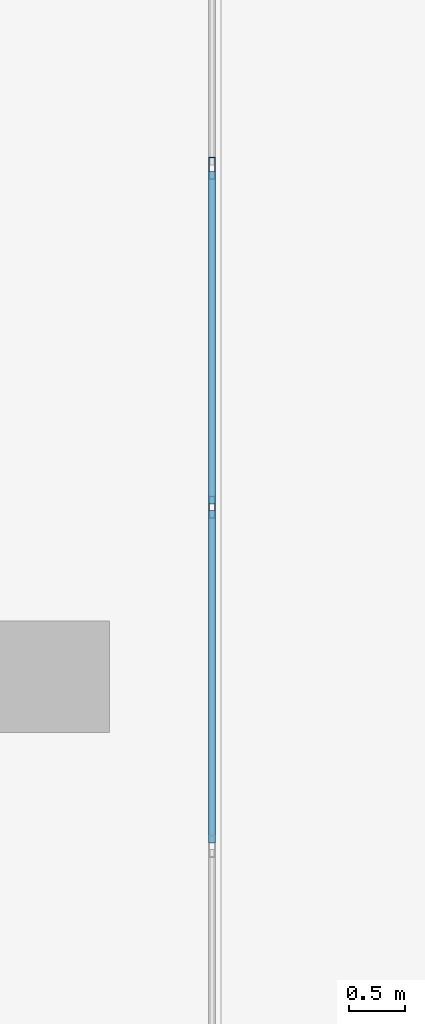
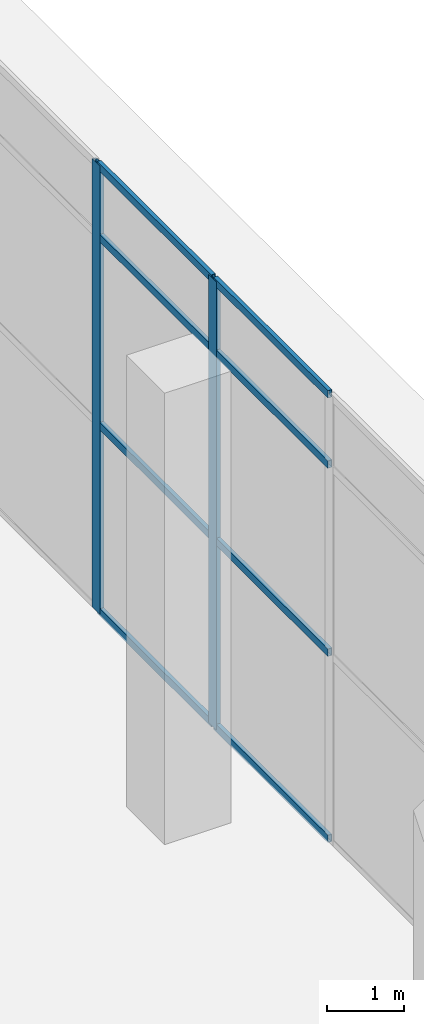
# One storey, part 25 of 52: 10 members, 1 element without a shape of its own.
"""IFC4 building model written with IfcOpenShell, lengths in metres."""

import ifcopenshell
import ifcopenshell.guid

model = None  # the IFC model being written
_history = None  # IfcOwnerHistory: only IFC2X3 demands one
_inside = {}  # id of a spatial element -> (the spatial element, [elements in it])
_under = {}  # id of a project, library or spatial element -> (it, [spatial elements below it])
_declared = {}  # id of a project -> (the project, [libraries it declares])
_typed = {}  # id of a type object -> (the type object, [elements of that type])
_made_of = {}  # id of a material, layer set ... -> (it, [elements and type objects made of it])


def new_model(schema):
    """Start an empty IFC model of exactly this schema.

    Asked for "IFC4X3", IfcOpenShell would pick the latest addendum, in which some entities
    have other attributes; the version numbers below select the first issue.
    IFC2X3 requires an IfcOwnerHistory on every rooted entity: one is made here for all.
    """
    global model, _history
    if schema == "IFC4X3":
        model = ifcopenshell.file(schema_version=(4, 3, 0, 0))
    else:
        model = ifcopenshell.file(schema=schema)
    _inside.clear()
    _under.clear()
    _declared.clear()
    _typed.clear()
    _made_of.clear()
    _history = None
    if model.schema == "IFC2X3":
        org = make("IfcOrganization", Name="unknown")
        user = make(
            "IfcPersonAndOrganization",
            ThePerson=make("IfcPerson", FamilyName="unknown"),
            TheOrganization=org,
        )
        app = make(
            "IfcApplication",
            ApplicationDeveloper=org,
            Version="unknown",
            ApplicationFullName="unknown",
            ApplicationIdentifier="unknown",
        )
        _history = make(
            "IfcOwnerHistory",
            OwningUser=user,
            OwningApplication=app,
            ChangeAction="ADDED",
            CreationDate=0,
        )
    return model


def make(cls, **values):
    """One entity of the class cls with the attributes given. An attribute that is None is left unset."""
    return model.create_entity(
        cls, **{name: value for name, value in values.items() if value is not None}
    )


def rooted(cls, **values):
    """An entity with a GlobalId (a new one), such as an element, a storey or a relation."""
    return make(cls, GlobalId=ifcopenshell.guid.new(), OwnerHistory=_history, **values)


def si_unit(unit_type, name, prefix=None):
    """IfcSIUnit, for example si_unit("LENGTHUNIT", "METRE", prefix="MILLI")."""
    return make("IfcSIUnit", UnitType=unit_type, Prefix=prefix, Name=name)


def assignment(units):
    """IfcUnitAssignment: the units of a project."""
    return None if units is None else make("IfcUnitAssignment", Units=units)


def point(xyz):
    """IfcCartesianPoint."""
    return None if xyz is None else make("IfcCartesianPoint", Coordinates=xyz)


def direction(xyz):
    """IfcDirection."""
    return None if xyz is None else make("IfcDirection", DirectionRatios=xyz)


def frame(location, z_axis=None, x_axis=None):
    """IfcAxis2Placement3D, a coordinate frame: its origin and axes. An axis left out is left unset."""
    return make(
        "IfcAxis2Placement3D",
        Location=point(location),
        Axis=direction(z_axis),
        RefDirection=direction(x_axis),
    )


def frame_2d(location, x_axis=None):
    """IfcAxis2Placement2D, a coordinate frame in the plane: its origin and x axis."""
    return make(
        "IfcAxis2Placement2D", Location=point(location), RefDirection=direction(x_axis)
    )


def origin():
    """The frame at (0, 0, 0) with its axes left unset."""
    return frame((0.0, 0.0, 0.0))


def origin_2d():
    """The frame at (0, 0) in the plane with its x axis left unset."""
    return frame_2d((0.0, 0.0))


def place(relative_to, where):
    """IfcLocalPlacement: puts the frame where relative to a parent placement (None: the world)."""
    return make(
        "IfcLocalPlacement", PlacementRelTo=relative_to, RelativePlacement=where
    )


def context(
    kind, dimensions, precision=None, world=None, true_north=None, identifier=None
):
    """IfcGeometricRepresentationContext, for example the 3D "Model" context."""
    return make(
        "IfcGeometricRepresentationContext",
        ContextIdentifier=identifier,
        ContextType=kind,
        CoordinateSpaceDimension=dimensions,
        Precision=precision,
        WorldCoordinateSystem=world,
        TrueNorth=true_north,
    )


def subcontext(parent, identifier, kind, view, scale=None):
    """IfcGeometricRepresentationSubContext, for example "Body" below "Model"."""
    return make(
        "IfcGeometricRepresentationSubContext",
        ContextIdentifier=identifier,
        ContextType=kind,
        ParentContext=parent,
        TargetScale=scale,
        TargetView=view,
    )


def project(units=None, contexts=None):
    """IfcProject with its units and contexts."""
    return rooted(
        "IfcProject",
        Name="project",
        RepresentationContexts=contexts,
        UnitsInContext=assignment(units),
    )


def spatial(cls, under=None, at=None, **own):
    """A site, building, storey or space (cls), placed at a placement, below another one or the project."""
    s = rooted(cls, ObjectPlacement=at, **own)
    if under is not None:
        _under.setdefault(under.id(), (under, []))[1].append(s)
    return s


def profile(cls, at=None, kind="AREA", **sizes):
    """A parametric profile (cls). Its sizes go by their IFC names, for example OverallWidth=200.0."""
    return make(cls, ProfileType=kind, Position=at, **sizes)


def hollow_rectangle(**sizes):
    """IfcRectangleHollowProfileDef."""
    return profile("IfcRectangleHollowProfileDef", **sizes)


def extrude(swept, where, along, depth):
    """IfcExtrudedAreaSolid: the profile swept, set in the frame where, extruded along a direction by depth."""
    return make(
        "IfcExtrudedAreaSolid",
        SweptArea=swept,
        Position=where,
        ExtrudedDirection=direction(along),
        Depth=depth,
    )


def shape(context_of_items, identifier, shape_type, items):
    """IfcShapeRepresentation: the items that make up one representation, for example the "Body"."""
    return make(
        "IfcShapeRepresentation",
        ContextOfItems=context_of_items,
        RepresentationIdentifier=identifier,
        RepresentationType=shape_type,
        Items=items,
    )


def source(mapping_origin, context_of_items, identifier, shape_type, items):
    """IfcRepresentationMap: a shape defined once, which mapped items show again and again."""
    return make(
        "IfcRepresentationMap",
        MappingOrigin=mapping_origin,
        MappedRepresentation=shape(context_of_items, identifier, shape_type, items),
    )


def transform(
    local_origin,
    x_axis=None,
    y_axis=None,
    z_axis=None,
    scale=None,
    scale2=None,
    scale3=None,
    uniform=True,
):
    """IfcCartesianTransformationOperator3D, or its non-uniform kind. x_axis, y_axis, z_axis: its Axis1, 2, 3."""
    if uniform:
        return make(
            "IfcCartesianTransformationOperator3D",
            Axis1=direction(x_axis),
            Axis2=direction(y_axis),
            LocalOrigin=point(local_origin),
            Scale=scale,
            Axis3=direction(z_axis),
        )
    return make(
        "IfcCartesianTransformationOperator3DnonUniform",
        Axis1=direction(x_axis),
        Axis2=direction(y_axis),
        LocalOrigin=point(local_origin),
        Scale=scale,
        Axis3=direction(z_axis),
        Scale2=scale2,
        Scale3=scale3,
    )


def mapped(mapping_source, mapping_target):
    """IfcMappedItem: shows the shape of a source again, moved by a transform."""
    return make(
        "IfcMappedItem", MappingSource=mapping_source, MappingTarget=mapping_target
    )


def material(Name=None, Category=None):
    """IfcMaterial."""
    return make("IfcMaterial", Name=Name, Category=Category)


def material_profile(
    of_material, cross_section, Name=None, Category=None, Priority=None
):
    """IfcMaterialProfile: a cross section and its material."""
    return make(
        "IfcMaterialProfile",
        Name=Name,
        Material=of_material,
        Profile=cross_section,
        Priority=Priority,
        Category=Category,
    )


def profile_set(profiles, Name=None, composite=None):
    """IfcMaterialProfileSet."""
    return make(
        "IfcMaterialProfileSet",
        Name=Name,
        MaterialProfiles=profiles,
        CompositeProfile=composite,
    )


def made_of(thing, what):
    """Note that an element or type object is made of a material, layer set ...; save() writes the relation."""
    if what is not None:
        _made_of.setdefault(what.id(), (what, []))[1].append(thing)
    return thing


def type_object(cls, material=None, **own):
    """A type object (cls), such as IfcWallType, which elements share."""
    return made_of(rooted(cls, **own), material)


def element(
    cls,
    number,
    at=None,
    inside=None,
    cuts=None,
    type_object=None,
    material=None,
    context=None,
    identifier="Body",
    shape_type=None,
    held_by="IfcProductDefinitionShape",
    body=None,
    shapes=None,
    **own,
):
    """One element of the class cls, such as IfcWall. Its Tag is "e" and its number.

    at: its placement. inside: the storey or other place that contains it. cuts: it is an
    opening in that element (IfcRelVoidsElement). A single representation is given by context,
    identifier, shape_type and body (its items); several are given by shapes. held_by: the class
    of the entity that holds the representations. save() writes the other relations.
    """
    e = rooted(cls, Tag="e%d" % number, ObjectPlacement=at, **own)
    if body is not None:
        shapes = [shape(context, identifier, shape_type, body)]
    if shapes is not None:
        e.Representation = make(held_by, Representations=shapes)
    if inside is not None:
        _inside.setdefault(inside.id(), (inside, []))[1].append(e)
    if cuts is not None:
        rooted(
            "IfcRelVoidsElement", RelatingBuildingElement=cuts, RelatedOpeningElement=e
        )
    if type_object is not None:
        _typed.setdefault(type_object.id(), (type_object, []))[1].append(e)
    return made_of(e, material)


def aggregate(whole, parts):
    """IfcRelAggregates: a whole, such as a stair, and the parts it consists of."""
    return rooted("IfcRelAggregates", RelatingObject=whole, RelatedObjects=parts)


def save(model, path):
    """Write the relations noted so far, then the file.

    IfcRelAggregates (storeys below a building ...), IfcRelContainedInSpatialStructure (elements
    in a storey), IfcRelDefinesByType, IfcRelAssociatesMaterial and IfcRelDeclares: one each for
    every whole, place, type object, material and project.
    """
    for whole, parts in _under.values():
        aggregate(whole, parts)
    for where, things in _inside.values():
        rooted(
            "IfcRelContainedInSpatialStructure",
            RelatedElements=things,
            RelatingStructure=where,
        )
    for kind, things in _typed.values():
        rooted("IfcRelDefinesByType", RelatedObjects=things, RelatingType=kind)
    for what, things in _made_of.values():
        rooted("IfcRelAssociatesMaterial", RelatedObjects=things, RelatingMaterial=what)
    for by, libraries in _declared.values():
        rooted("IfcRelDeclares", RelatingContext=by, RelatedDefinitions=libraries)
    model.write(path)


model = new_model("IFC4")

# Units and contexts
model_context = context("Model", 3, precision=1e-05, world=origin(), true_north=direction((0.0, 1.0)))
body_context = subcontext(model_context, "Body", "Model", "MODEL_VIEW")
ifc_project = project(units=[si_unit("LENGTHUNIT", "METRE"), si_unit("AREAUNIT", "SQUARE_METRE"), si_unit("VOLUMEUNIT", "CUBIC_METRE"), si_unit("PLANEANGLEUNIT", "RADIAN"), si_unit("MASSUNIT", "GRAM", prefix="KILO")], contexts=[model_context])

# Site, building, storey
site_placement = place(None, origin())
site = spatial("IfcSite", under=ifc_project, at=site_placement, CompositionType="ELEMENT")
building_placement = place(site_placement, origin())
building = spatial("IfcBuilding", under=site, at=building_placement, Name="Khomas Fold Tower", CompositionType="ELEMENT")
storey_placement = place(building_placement, origin())
storey = spatial("IfcBuildingStorey", under=building, at=storey_placement, Name="L00", CompositionType="ELEMENT", Elevation=0.0)

# Curtain wall, members
ifc_material_1 = material(Name="Aluminium framed double glazing", Category="aluminium")
curtain_wall_type = type_object("IfcCurtainWallType", Name="Shopfront glazing PD-CW", PredefinedType="NOTDEFINED", material=ifc_material_1)
curtain_wall_placement = place(storey_placement, origin())
curtain_wall = element("IfcCurtainWall", 1, at=curtain_wall_placement, inside=storey, type_object=curtain_wall_type, Name="Podium shopfront run", PredefinedType="NOTDEFINED")
ifc_material_2 = material(Name="Aluminium", Category="aluminium")
ifc_material_profile_1 = material_profile(ifc_material_2, hollow_rectangle(XDim=0.06005859375, YDim=0.199951171875, WallThickness=0.00390625, at=origin_2d()), Name="Shopfront glazing mullion PD-CW-M")
ifc_profile_set_1 = profile_set([ifc_material_profile_1], Name="Aluminium")
member_type_1 = type_object("IfcMemberType", Name="Shopfront glazing mullion PD-CW-M", PredefinedType="MULLION", material=ifc_profile_set_1)
shared_shape_1 = source(origin(), body_context, "Body", "SweptSolid", [
    extrude(hollow_rectangle(XDim=0.06005859375, YDim=0.199951171875, WallThickness=0.00390625, at=origin_2d()), origin(), (0.0, 0.0, 1.0), 7.14990234375),
])
member_1_placement = place(storey_placement, frame((80.919921875, 28.522216796875, 0.0), z_axis=(0.0, 0.0, 1.0), x_axis=(-1.0, 0.0, 0.0)))
member_1 = element("IfcMember", 2, at=member_1_placement, type_object=member_type_1, Name="PD-CW mullion 8", PredefinedType="MULLION", context=body_context, shape_type="MappedRepresentation", body=[
    mapped(shared_shape_1, transform((0.0, 0.0, 0.0))),
])
member_2_placement = place(storey_placement, frame((80.919921875, 31.56689453125, 0.0), z_axis=(0.0, 0.0, 1.0), x_axis=(-1.0, 0.0, 0.0)))
member_2 = element("IfcMember", 3, at=member_2_placement, type_object=member_type_1, Name="PD-CW mullion 9", PredefinedType="MULLION", context=body_context, shape_type="MappedRepresentation", body=[
    mapped(shared_shape_1, transform((0.0, 0.0, 0.0))),
])
ifc_material_3 = material(Name="Aluminium", Category="aluminium")
ifc_material_profile_2 = material_profile(ifc_material_3, hollow_rectangle(XDim=0.06005859375, YDim=0.1201171875, WallThickness=0.00390625, at=origin_2d()), Name="Shopfront glazing transom PD-CW-T")
ifc_profile_set_2 = profile_set([ifc_material_profile_2], Name="Aluminium")
member_type_2 = type_object("IfcMemberType", Name="Shopfront glazing transom PD-CW-T", PredefinedType="USERDEFINED", material=ifc_profile_set_2)
shared_shape_2 = source(origin(), body_context, "Body", "SweptSolid", [
    extrude(hollow_rectangle(XDim=0.06005859375, YDim=0.1201171875, WallThickness=0.00390625, at=origin_2d()), origin(), (0.0, 0.0, 1.0), 2.984619140625),
])
member_3_placement = place(storey_placement, frame((80.919921875, 28.55224609375, 0.030029296875), z_axis=(0.0, 1.0, 0.0), x_axis=(-1.0, 0.0, 0.0)))
member_3 = element("IfcMember", 4, at=member_3_placement, type_object=member_type_2, Name="PD-CW transom 8.1", ObjectType="TRANSOM", PredefinedType="USERDEFINED", context=body_context, shape_type="MappedRepresentation", body=[
    mapped(shared_shape_2, transform((0.0, 0.0, 0.0))),
])
member_4_placement = place(storey_placement, frame((80.919921875, 28.55224609375, 3.0), z_axis=(0.0, 1.0, 0.0), x_axis=(-1.0, 0.0, 0.0)))
member_4 = element("IfcMember", 5, at=member_4_placement, type_object=member_type_2, Name="PD-CW transom 8.2", ObjectType="TRANSOM", PredefinedType="USERDEFINED", context=body_context, shape_type="MappedRepresentation", body=[
    mapped(shared_shape_2, transform((0.0, 0.0, 0.0))),
])
member_5_placement = place(storey_placement, frame((80.919921875, 28.55224609375, 6.0), z_axis=(0.0, 1.0, 0.0), x_axis=(-1.0, 0.0, 0.0)))
member_5 = element("IfcMember", 6, at=member_5_placement, type_object=member_type_2, Name="PD-CW transom 8.3", ObjectType="TRANSOM", PredefinedType="USERDEFINED", context=body_context, shape_type="MappedRepresentation", body=[
    mapped(shared_shape_2, transform((0.0, 0.0, 0.0))),
])
member_6_placement = place(storey_placement, frame((80.919921875, 28.55224609375, 7.1201171875), z_axis=(0.0, 1.0, 0.0), x_axis=(-1.0, 0.0, 0.0)))
member_6 = element("IfcMember", 7, at=member_6_placement, type_object=member_type_2, Name="PD-CW transom 8.4", ObjectType="TRANSOM", PredefinedType="USERDEFINED", context=body_context, shape_type="MappedRepresentation", body=[
    mapped(shared_shape_2, transform((0.0, 0.0, 0.0))),
])
shared_shape_3 = source(origin(), body_context, "Body", "SweptSolid", [
    extrude(hollow_rectangle(XDim=0.06005859375, YDim=0.1201171875, WallThickness=0.00390625, at=origin_2d()), origin(), (0.0, 0.0, 1.0), 2.984375),
])
member_7_placement = place(storey_placement, frame((80.919921875, 25.5078125, 0.030029296875), z_axis=(0.0, 1.0, 0.0), x_axis=(-1.0, 0.0, 0.0)))
member_7 = element("IfcMember", 8, at=member_7_placement, type_object=member_type_2, Name="PD-CW transom 7.1", ObjectType="TRANSOM", PredefinedType="USERDEFINED", context=body_context, shape_type="MappedRepresentation", body=[
    mapped(shared_shape_3, transform((0.0, 0.0, 0.0))),
])
member_8_placement = place(storey_placement, frame((80.919921875, 25.5078125, 3.0), z_axis=(0.0, 1.0, 0.0), x_axis=(-1.0, 0.0, 0.0)))
member_8 = element("IfcMember", 9, at=member_8_placement, type_object=member_type_2, Name="PD-CW transom 7.2", ObjectType="TRANSOM", PredefinedType="USERDEFINED", context=body_context, shape_type="MappedRepresentation", body=[
    mapped(shared_shape_3, transform((0.0, 0.0, 0.0))),
])
member_9_placement = place(storey_placement, frame((80.919921875, 25.5078125, 6.0), z_axis=(0.0, 1.0, 0.0), x_axis=(-1.0, 0.0, 0.0)))
member_9 = element("IfcMember", 10, at=member_9_placement, type_object=member_type_2, Name="PD-CW transom 7.3", ObjectType="TRANSOM", PredefinedType="USERDEFINED", context=body_context, shape_type="MappedRepresentation", body=[
    mapped(shared_shape_3, transform((0.0, 0.0, 0.0))),
])
member_10_placement = place(storey_placement, frame((80.919921875, 25.5078125, 7.1201171875), z_axis=(0.0, 1.0, 0.0), x_axis=(-1.0, 0.0, 0.0)))
member_10 = element("IfcMember", 11, at=member_10_placement, type_object=member_type_2, Name="PD-CW transom 7.4", ObjectType="TRANSOM", PredefinedType="USERDEFINED", context=body_context, shape_type="MappedRepresentation", body=[
    mapped(shared_shape_3, transform((0.0, 0.0, 0.0))),
])
aggregate(curtain_wall, [member_1, member_2, member_7, member_8, member_9, member_10, member_3, member_4, member_5, member_6])

save(model, "model.ifc")
